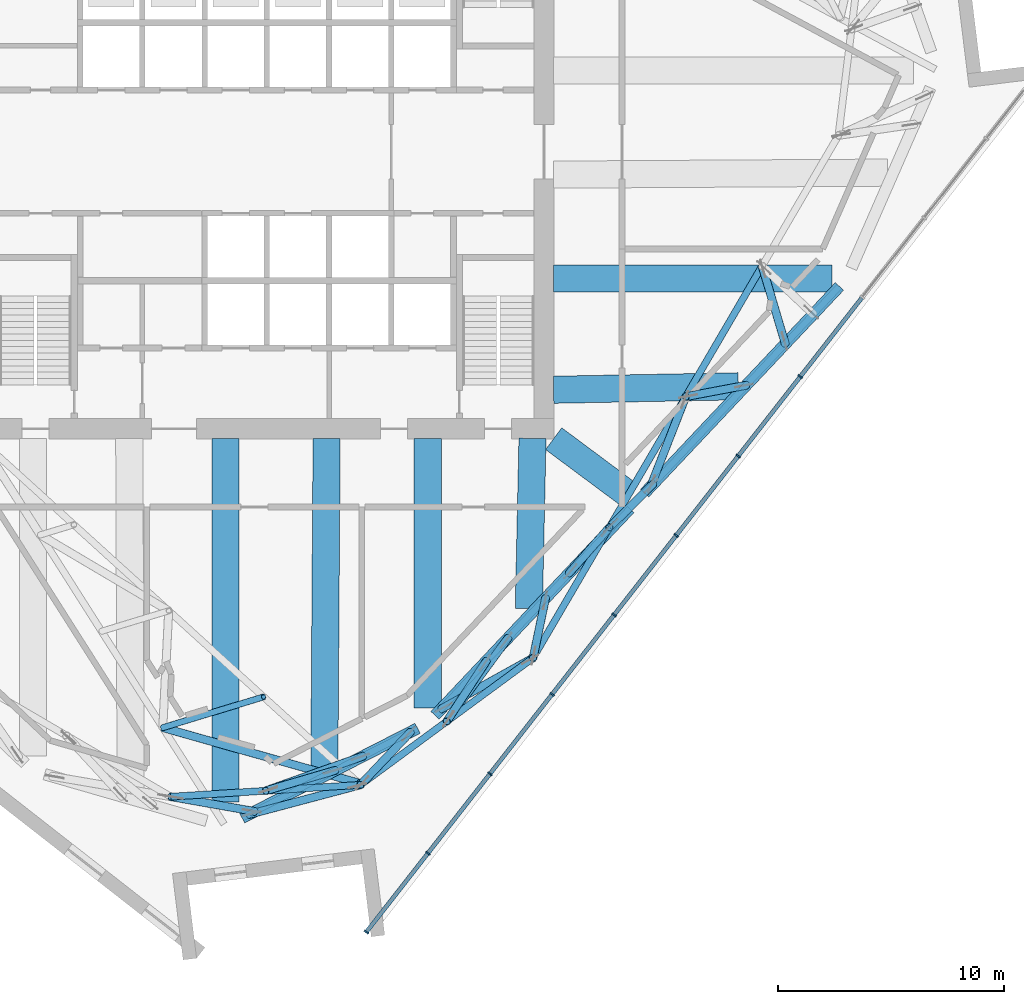
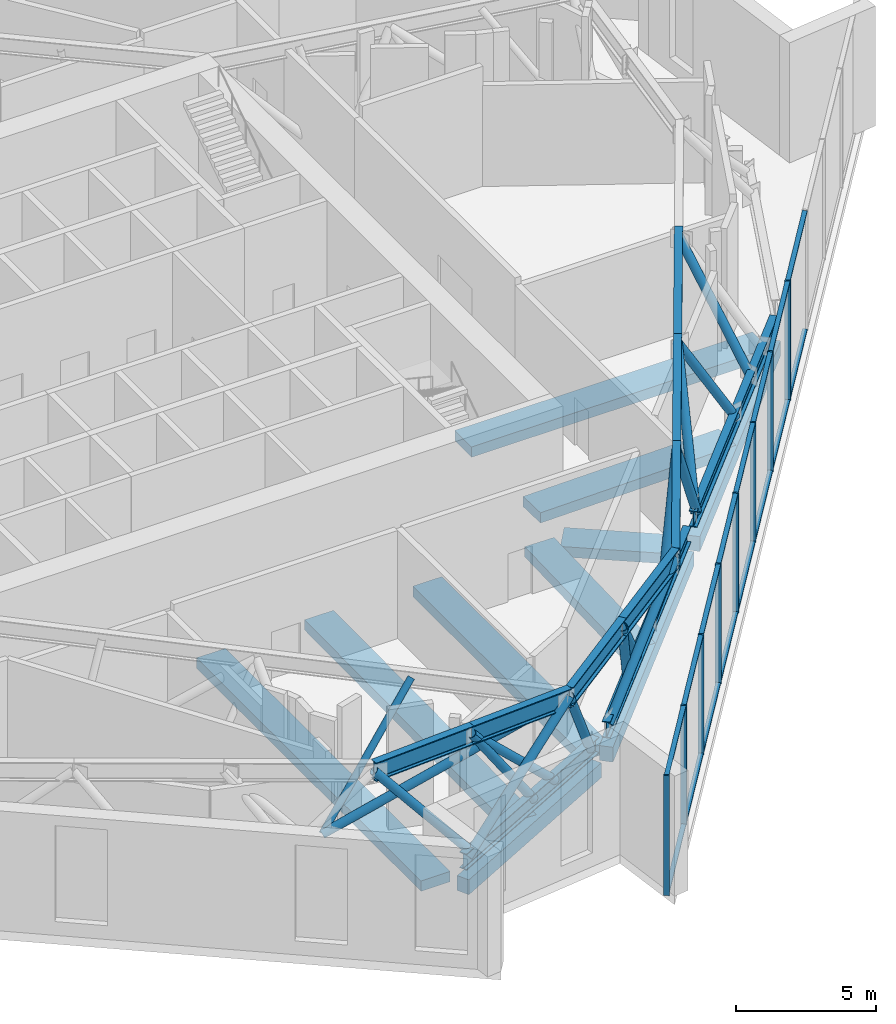
# One storey, part 3 of 23: 40 members, 20 beams, 1 element without a shape of its own.
"""IFC4 building model written with IfcOpenShell, lengths in metres."""

from ifc_helpers import new_model, si_unit, direction, frame, origin, origin_2d, place, context, subcontext, project, spatial, rectangle, hollow_circle, i_section, extrude, material, material_profile, profile_set, type_object, element, aggregate, save


model = new_model("IFC4")

# Units and contexts
model_context = context("Model", 3, precision=1e-05, world=origin(), true_north=direction((0.0, 1.0)))
body_context = subcontext(model_context, "Body", "Model", "MODEL_VIEW")
ifc_project = project(units=[si_unit("LENGTHUNIT", "METRE"), si_unit("AREAUNIT", "SQUARE_METRE"), si_unit("VOLUMEUNIT", "CUBIC_METRE"), si_unit("PLANEANGLEUNIT", "RADIAN"), si_unit("MASSUNIT", "GRAM", prefix="KILO")], contexts=[model_context])

# Site, building, storey
site_placement = place(None, origin())
site = spatial("IfcSite", under=ifc_project, at=site_placement, CompositionType="ELEMENT")
building_placement = place(site_placement, origin())
building = spatial("IfcBuilding", under=site, at=building_placement, Name="Dilmun Exchange Tower", CompositionType="ELEMENT")
storey_placement = place(building_placement, frame((0.0, 0.0, 237.300048828125)))
storey = spatial("IfcBuildingStorey", under=building, at=storey_placement, Name="L56", CompositionType="ELEMENT", Elevation=237.300048828125)

# Beams
ifc_material_1 = material(Name="Concrete C40/50", Category="concrete")
ifc_material_profile_1 = material_profile(ifc_material_1, rectangle(XDim=1.199951171875, YDim=0.449951171875, at=origin_2d()), Name="1200 x 450")
ifc_profile_set_1 = profile_set([ifc_material_profile_1], Name="Concrete C40/50")
beam_type_1 = type_object("IfcBeamType", Name="RC band beam 1200 x 450 C40/50", PredefinedType="BEAM", material=ifc_profile_set_1)
beam_1_placement = place(storey_placement, frame((-1.824951171875, -28.74560546875, -0.705078125), z_axis=(0.0, 1.0, 0.0), x_axis=(-1.0, 0.0, 0.0)))
element("IfcBeam", 1, at=beam_1_placement, inside=storey, type_object=beam_type_1, Name="Band beam 9", PredefinedType="BEAM", context=body_context, shape_type="SweptSolid", body=[
    extrude(rectangle(XDim=1.199951171875, YDim=0.449951171875, at=origin_2d()), origin(), (0.0, 0.0, 1.0), 16.072509765625),
])
beam_2_placement = place(storey_placement, frame((7.113037109375, -24.596923828125, -0.705078125), z_axis=(0.0, 1.0, 0.0), x_axis=(-1.0, 0.0, 0.0)))
element("IfcBeam", 2, at=beam_2_placement, inside=storey, type_object=beam_type_1, Name="Band beam 10", PredefinedType="BEAM", context=body_context, shape_type="SweptSolid", body=[
    extrude(rectangle(XDim=1.199951171875, YDim=0.449951171875, at=origin_2d()), origin(), (0.0, 0.0, 1.0), 11.923828125),
])
beam_3_placement = place(storey_placement, frame((15.99072265625, -15.148681640625, -0.705078125), z_axis=(-0.802264832552, 0.596968289317, 0.0), x_axis=(-0.596968289317, -0.802264832552, 0.0)))
element("IfcBeam", 3, at=beam_3_placement, inside=storey, type_object=beam_type_1, Name="Band beam 11", PredefinedType="BEAM", context=body_context, shape_type="SweptSolid", body=[
    extrude(rectangle(XDim=1.199951171875, YDim=0.449951171875, at=origin_2d()), origin(), (0.0, 0.0, 1.0), 4.12890625),
])
beam_4_placement = place(storey_placement, frame((24.972900390625, -5.60888671875, -0.705078125), z_axis=(-1.0, 0.0, 0.0), x_axis=(0.0, -1.0, 0.0)))
element("IfcBeam", 4, at=beam_4_placement, inside=storey, type_object=beam_type_1, Name="Band beam 12", PredefinedType="BEAM", context=body_context, shape_type="SweptSolid", body=[
    extrude(rectangle(XDim=1.199951171875, YDim=0.449951171875, at=origin_2d()), origin(), (0.0, 0.0, 1.0), 12.2998046875),
])
beam_5_placement = place(storey_placement, frame((2.54248046875, -27.3388671875, -0.60498046875), z_axis=(0.006924972536, 0.99997602209, 0.0), x_axis=(-0.99997602209, 0.006924972536, 0.0)))
element("IfcBeam", 5, at=beam_5_placement, inside=storey, type_object=beam_type_1, Name="Band beam 25", PredefinedType="BEAM", context=body_context, shape_type="SweptSolid", body=[
    extrude(rectangle(XDim=1.199951171875, YDim=0.449951171875, at=origin_2d()), origin(), (0.0, 0.0, 1.0), 14.666015625),
])
beam_6_placement = place(storey_placement, frame((11.580810546875, -20.19189453125, -0.60498046875), z_axis=(0.021555532074, 0.999767652526, 0.0), x_axis=(-0.999767652526, 0.021555532074, 0.0)))
element("IfcBeam", 6, at=beam_6_placement, inside=storey, type_object=beam_type_1, Name="Band beam 26", PredefinedType="BEAM", context=body_context, shape_type="SweptSolid", body=[
    extrude(rectangle(XDim=1.199951171875, YDim=0.449951171875, at=origin_2d()), origin(), (0.0, 0.0, 1.0), 7.5205078125),
])
beam_7_placement = place(storey_placement, frame((20.8408203125, -10.367919921875, -0.60498046875), z_axis=(-0.999824422594, -0.018738302585, 0.0), x_axis=(0.018738302585, -0.999824422594, 0.0)))
element("IfcBeam", 7, at=beam_7_placement, inside=storey, type_object=beam_type_1, Name="Band beam 27", PredefinedType="BEAM", context=body_context, shape_type="SweptSolid", body=[
    extrude(rectangle(XDim=1.199951171875, YDim=0.449951171875, at=origin_2d()), origin(), (0.0, 0.0, 1.0), 8.169189453125),
])
ifc_material_profile_2 = material_profile(ifc_material_1, rectangle(XDim=0.5, YDim=0.64990234375, at=origin_2d()), Name="500 x 650")
ifc_profile_set_2 = profile_set([ifc_material_profile_2], Name="Concrete C40/50")
beam_type_2 = type_object("IfcBeamType", Name="RC ring beam 500 x 650 C40/50", PredefinedType="SPANDREL", material=ifc_profile_set_2)
beam_8_placement = place(storey_placement, frame((-1.09228515625, -29.444091796875, -0.705078125), z_axis=(0.89072990219, 0.454532992581, 0.0), x_axis=(-0.454532992581, 0.89072990219, 0.0)))
element("IfcBeam", 8, at=beam_8_placement, inside=storey, type_object=beam_type_2, Name="Ring beam 9", PredefinedType="SPANDREL", context=body_context, shape_type="SweptSolid", body=[
    extrude(rectangle(XDim=0.5, YDim=0.64990234375, at=origin_2d()), origin(), (0.0, 0.0, 1.0), 8.707763671875),
])
for number, where, z_axis, x_axis, name in (
    (9, (7.4375, -24.912841796875, -0.705078125), (0.685902559512, 0.727693396188, 0.0), (-0.727693396188, 0.685902559512, 0.0), "Ring beam 10"),
    (10, (16.697509765625, -15.0888671875, -0.705078125), (0.685902559512, 0.727693396188, 0.0), (-0.727693396188, 0.685902559512, 0.0), "Ring beam 11"),
):
    element("IfcBeam", number, at=place(storey_placement, frame(where, z_axis=z_axis, x_axis=x_axis)), inside=storey, type_object=beam_type_2, Name=name, PredefinedType="SPANDREL", context=body_context, shape_type="SweptSolid", body=[
        extrude(rectangle(XDim=0.5, YDim=0.64990234375, at=origin_2d()), origin(), (0.0, 0.0, 1.0), 12.554443359375),
    ])

# Curtain wall, members
ifc_material_2 = material(Name="Anodised aluminium and clear glass", Category="aluminium")
curtain_wall_type = type_object("IfcCurtainWallType", Name="Sky lobby glazing", PredefinedType="NOTDEFINED", material=ifc_material_2)
curtain_wall_placement = place(storey_placement, origin())
curtain_wall = element("IfcCurtainWall", 11, at=curtain_wall_placement, inside=storey, type_object=curtain_wall_type, Name="Sky lobby glazing run SL12", PredefinedType="NOTDEFINED")
ifc_material_3 = material(Name="Anodised aluminium", Category="aluminium")
ifc_material_profile_3 = material_profile(ifc_material_3, rectangle(XDim=0.219970703125, YDim=0.070068359375, at=origin_2d()), Name="AL 70x220")
ifc_profile_set_3 = profile_set([ifc_material_profile_3], Name="Anodised aluminium")
member_type_1 = type_object("IfcMemberType", Name="Sky lobby glazing mullion 70 x 220", PredefinedType="MULLION", material=ifc_profile_set_3)
member_1_placement = place(storey_placement, frame((4.40185546875, -34.485595703125, 0.0), z_axis=(0.0, 0.0, 1.0), x_axis=(-0.78801066701, 0.615661586164, 0.0)))
member_1 = element("IfcMember", 12, at=member_1_placement, type_object=member_type_1, Name="SL12 mullion 1", PredefinedType="MULLION", context=body_context, shape_type="SweptSolid", body=[
    extrude(rectangle(XDim=0.219970703125, YDim=0.070068359375, at=origin_2d()), origin(), (0.0, 0.0, 1.0), 5.239990234375),
])
member_2_placement = place(storey_placement, frame((7.122802734375, -31.0029296875, 0.0), z_axis=(0.0, 0.0, 1.0), x_axis=(-0.78801066701, 0.615661586164, 0.0)))
member_2 = element("IfcMember", 13, at=member_2_placement, type_object=member_type_1, Name="SL12 mullion 2", PredefinedType="MULLION", context=body_context, shape_type="SweptSolid", body=[
    extrude(rectangle(XDim=0.219970703125, YDim=0.070068359375, at=origin_2d()), origin(), (0.0, 0.0, 1.0), 5.239990234375),
])
member_3_placement = place(storey_placement, frame((9.865234375, -27.49267578125, 0.0), z_axis=(0.0, 0.0, 1.0), x_axis=(-0.78801066701, 0.615661586164, 0.0)))
member_3 = element("IfcMember", 14, at=member_3_placement, type_object=member_type_1, Name="SL12 mullion 3", PredefinedType="MULLION", context=body_context, shape_type="SweptSolid", body=[
    extrude(rectangle(XDim=0.219970703125, YDim=0.070068359375, at=origin_2d()), origin(), (0.0, 0.0, 1.0), 5.239990234375),
])
member_4_placement = place(storey_placement, frame((12.607666015625, -23.982421875, 0.0), z_axis=(0.0, 0.0, 1.0), x_axis=(-0.78801066701, 0.615661586164, 0.0)))
member_4 = element("IfcMember", 15, at=member_4_placement, type_object=member_type_1, Name="SL12 mullion 4", PredefinedType="MULLION", context=body_context, shape_type="SweptSolid", body=[
    extrude(rectangle(XDim=0.219970703125, YDim=0.070068359375, at=origin_2d()), origin(), (0.0, 0.0, 1.0), 5.239990234375),
])
member_5_placement = place(storey_placement, frame((15.35009765625, -20.47216796875, 0.0), z_axis=(0.0, 0.0, 1.0), x_axis=(-0.78801066701, 0.615661586164, 0.0)))
member_5 = element("IfcMember", 16, at=member_5_placement, type_object=member_type_1, Name="SL12 mullion 5", PredefinedType="MULLION", context=body_context, shape_type="SweptSolid", body=[
    extrude(rectangle(XDim=0.219970703125, YDim=0.070068359375, at=origin_2d()), origin(), (0.0, 0.0, 1.0), 5.239990234375),
])
member_6_placement = place(storey_placement, frame((18.0927734375, -16.9619140625, 0.0), z_axis=(0.0, 0.0, 1.0), x_axis=(-0.78801066701, 0.615661586164, 0.0)))
member_6 = element("IfcMember", 17, at=member_6_placement, type_object=member_type_1, Name="SL12 mullion 6", PredefinedType="MULLION", context=body_context, shape_type="SweptSolid", body=[
    extrude(rectangle(XDim=0.219970703125, YDim=0.070068359375, at=origin_2d()), origin(), (0.0, 0.0, 1.0), 5.239990234375),
])
member_7_placement = place(storey_placement, frame((20.835205078125, -13.45166015625, 0.0), z_axis=(0.0, 0.0, 1.0), x_axis=(-0.78801066701, 0.615661586164, 0.0)))
member_7 = element("IfcMember", 18, at=member_7_placement, type_object=member_type_1, Name="SL12 mullion 7", PredefinedType="MULLION", context=body_context, shape_type="SweptSolid", body=[
    extrude(rectangle(XDim=0.219970703125, YDim=0.070068359375, at=origin_2d()), origin(), (0.0, 0.0, 1.0), 5.239990234375),
])
member_8_placement = place(storey_placement, frame((23.57763671875, -9.94140625, 0.0), z_axis=(0.0, 0.0, 1.0), x_axis=(-0.78801066701, 0.615661586164, 0.0)))
member_8 = element("IfcMember", 19, at=member_8_placement, type_object=member_type_1, Name="SL12 mullion 8", PredefinedType="MULLION", context=body_context, shape_type="SweptSolid", body=[
    extrude(rectangle(XDim=0.219970703125, YDim=0.070068359375, at=origin_2d()), origin(), (0.0, 0.0, 1.0), 5.239990234375),
])
ifc_material_profile_4 = material_profile(ifc_material_3, rectangle(XDim=0.179931640625, YDim=0.070068359375, at=origin_2d()), Name="AL 70x180")
ifc_profile_set_4 = profile_set([ifc_material_profile_4], Name="Anodised aluminium")
member_type_2 = type_object("IfcMemberType", Name="Sky lobby glazing transom 70 x 180", PredefinedType="USERDEFINED", material=ifc_profile_set_4)
member_9_placement = place(storey_placement, frame((4.42333984375, -34.4580078125, 0.034912109375), z_axis=(0.615645131234, 0.788023522738, 0.0), x_axis=(-0.788023522738, 0.615645131234, 0.0)))
member_9 = element("IfcMember", 20, at=member_9_placement, type_object=member_type_2, Name="SL12 transom 1.1", ObjectType="TRANSOM", PredefinedType="USERDEFINED", context=body_context, shape_type="SweptSolid", body=[
    extrude(rectangle(XDim=0.179931640625, YDim=0.070068359375, at=origin_2d()), origin(), (0.0, 0.0, 1.0), 4.349365234375),
])
member_10_placement = place(storey_placement, frame((4.42333984375, -34.4580078125, 5.204833984375), z_axis=(0.615645131234, 0.788023522738, 0.0), x_axis=(-0.788023522738, 0.615645131234, 0.0)))
member_10 = element("IfcMember", 21, at=member_10_placement, type_object=member_type_2, Name="SL12 transom 1.2", ObjectType="TRANSOM", PredefinedType="USERDEFINED", context=body_context, shape_type="SweptSolid", body=[
    extrude(rectangle(XDim=0.179931640625, YDim=0.070068359375, at=origin_2d()), origin(), (0.0, 0.0, 1.0), 4.349365234375),
])
member_11_placement = place(storey_placement, frame((7.144287109375, -30.975341796875, 0.034912109375), z_axis=(0.615669974548, 0.788004113213, 0.0), x_axis=(-0.788004113213, 0.615669974548, 0.0)))
member_11 = element("IfcMember", 22, at=member_11_placement, type_object=member_type_2, Name="SL12 transom 2.1", ObjectType="TRANSOM", PredefinedType="USERDEFINED", context=body_context, shape_type="SweptSolid", body=[
    extrude(rectangle(XDim=0.179931640625, YDim=0.070068359375, at=origin_2d()), origin(), (0.0, 0.0, 1.0), 4.384521484375),
])
member_12_placement = place(storey_placement, frame((7.144287109375, -30.975341796875, 5.204833984375), z_axis=(0.615669974548, 0.788004113213, 0.0), x_axis=(-0.788004113213, 0.615669974548, 0.0)))
member_12 = element("IfcMember", 23, at=member_12_placement, type_object=member_type_2, Name="SL12 transom 2.2", ObjectType="TRANSOM", PredefinedType="USERDEFINED", context=body_context, shape_type="SweptSolid", body=[
    extrude(rectangle(XDim=0.179931640625, YDim=0.070068359375, at=origin_2d()), origin(), (0.0, 0.0, 1.0), 4.384521484375),
])
member_13_placement = place(storey_placement, frame((9.88671875, -27.465087890625, 0.034912109375), z_axis=(0.615669974548, 0.788004113213, 0.0), x_axis=(-0.788004113213, 0.615669974548, 0.0)))
member_13 = element("IfcMember", 24, at=member_13_placement, type_object=member_type_2, Name="SL12 transom 3.1", ObjectType="TRANSOM", PredefinedType="USERDEFINED", context=body_context, shape_type="SweptSolid", body=[
    extrude(rectangle(XDim=0.179931640625, YDim=0.070068359375, at=origin_2d()), origin(), (0.0, 0.0, 1.0), 4.384521484375),
])
member_14_placement = place(storey_placement, frame((9.88671875, -27.465087890625, 5.204833984375), z_axis=(0.615669974548, 0.788004113213, 0.0), x_axis=(-0.788004113213, 0.615669974548, 0.0)))
member_14 = element("IfcMember", 25, at=member_14_placement, type_object=member_type_2, Name="SL12 transom 3.2", ObjectType="TRANSOM", PredefinedType="USERDEFINED", context=body_context, shape_type="SweptSolid", body=[
    extrude(rectangle(XDim=0.179931640625, YDim=0.070068359375, at=origin_2d()), origin(), (0.0, 0.0, 1.0), 4.384521484375),
])
member_15_placement = place(storey_placement, frame((12.629150390625, -23.954833984375, 0.034912109375), z_axis=(0.615669974548, 0.788004113213, 0.0), x_axis=(-0.788004113213, 0.615669974548, 0.0)))
member_15 = element("IfcMember", 26, at=member_15_placement, type_object=member_type_2, Name="SL12 transom 4.1", ObjectType="TRANSOM", PredefinedType="USERDEFINED", context=body_context, shape_type="SweptSolid", body=[
    extrude(rectangle(XDim=0.179931640625, YDim=0.070068359375, at=origin_2d()), origin(), (0.0, 0.0, 1.0), 4.384521484375),
])
member_16_placement = place(storey_placement, frame((12.629150390625, -23.954833984375, 5.204833984375), z_axis=(0.615669974548, 0.788004113213, 0.0), x_axis=(-0.788004113213, 0.615669974548, 0.0)))
member_16 = element("IfcMember", 27, at=member_16_placement, type_object=member_type_2, Name="SL12 transom 4.2", ObjectType="TRANSOM", PredefinedType="USERDEFINED", context=body_context, shape_type="SweptSolid", body=[
    extrude(rectangle(XDim=0.179931640625, YDim=0.070068359375, at=origin_2d()), origin(), (0.0, 0.0, 1.0), 4.384521484375),
])
member_17_placement = place(storey_placement, frame((15.371826171875, -20.444580078125, 0.034912109375), z_axis=(0.615635397336, 0.78803112727, 0.0), x_axis=(-0.78803112727, 0.615635397336, 0.0)))
member_17 = element("IfcMember", 28, at=member_17_placement, type_object=member_type_2, Name="SL12 transom 5.1", ObjectType="TRANSOM", PredefinedType="USERDEFINED", context=body_context, shape_type="SweptSolid", body=[
    extrude(rectangle(XDim=0.179931640625, YDim=0.070068359375, at=origin_2d()), origin(), (0.0, 0.0, 1.0), 4.384521484375),
])
member_18_placement = place(storey_placement, frame((15.371826171875, -20.444580078125, 5.204833984375), z_axis=(0.615635397336, 0.78803112727, 0.0), x_axis=(-0.78803112727, 0.615635397336, 0.0)))
member_18 = element("IfcMember", 29, at=member_18_placement, type_object=member_type_2, Name="SL12 transom 5.2", ObjectType="TRANSOM", PredefinedType="USERDEFINED", context=body_context, shape_type="SweptSolid", body=[
    extrude(rectangle(XDim=0.179931640625, YDim=0.070068359375, at=origin_2d()), origin(), (0.0, 0.0, 1.0), 4.384521484375),
])
member_19_placement = place(storey_placement, frame((18.1142578125, -16.934326171875, 0.034912109375), z_axis=(0.615635397336, 0.78803112727, 0.0), x_axis=(-0.78803112727, 0.615635397336, 0.0)))
member_19 = element("IfcMember", 30, at=member_19_placement, type_object=member_type_2, Name="SL12 transom 6.1", ObjectType="TRANSOM", PredefinedType="USERDEFINED", context=body_context, shape_type="SweptSolid", body=[
    extrude(rectangle(XDim=0.179931640625, YDim=0.070068359375, at=origin_2d()), origin(), (0.0, 0.0, 1.0), 4.384521484375),
])
member_20_placement = place(storey_placement, frame((18.1142578125, -16.934326171875, 5.204833984375), z_axis=(0.615635397336, 0.78803112727, 0.0), x_axis=(-0.78803112727, 0.615635397336, 0.0)))
member_20 = element("IfcMember", 31, at=member_20_placement, type_object=member_type_2, Name="SL12 transom 6.2", ObjectType="TRANSOM", PredefinedType="USERDEFINED", context=body_context, shape_type="SweptSolid", body=[
    extrude(rectangle(XDim=0.179931640625, YDim=0.070068359375, at=origin_2d()), origin(), (0.0, 0.0, 1.0), 4.384521484375),
])
member_21_placement = place(storey_placement, frame((20.856689453125, -13.424072265625, 0.034912109375), z_axis=(0.615669974548, 0.788004113213, 0.0), x_axis=(-0.788004113213, 0.615669974548, 0.0)))
member_21 = element("IfcMember", 32, at=member_21_placement, type_object=member_type_2, Name="SL12 transom 7.1", ObjectType="TRANSOM", PredefinedType="USERDEFINED", context=body_context, shape_type="SweptSolid", body=[
    extrude(rectangle(XDim=0.179931640625, YDim=0.070068359375, at=origin_2d()), origin(), (0.0, 0.0, 1.0), 4.384521484375),
])
member_22_placement = place(storey_placement, frame((20.856689453125, -13.424072265625, 5.204833984375), z_axis=(0.615669974548, 0.788004113213, 0.0), x_axis=(-0.788004113213, 0.615669974548, 0.0)))
member_22 = element("IfcMember", 33, at=member_22_placement, type_object=member_type_2, Name="SL12 transom 7.2", ObjectType="TRANSOM", PredefinedType="USERDEFINED", context=body_context, shape_type="SweptSolid", body=[
    extrude(rectangle(XDim=0.179931640625, YDim=0.070068359375, at=origin_2d()), origin(), (0.0, 0.0, 1.0), 4.384521484375),
])
member_23_placement = place(storey_placement, frame((23.59912109375, -9.913818359375, 0.034912109375), z_axis=(0.615669974548, 0.788004113213, 0.0), x_axis=(-0.788004113213, 0.615669974548, 0.0)))
member_23 = element("IfcMember", 34, at=member_23_placement, type_object=member_type_2, Name="SL12 transom 8.1", ObjectType="TRANSOM", PredefinedType="USERDEFINED", context=body_context, shape_type="SweptSolid", body=[
    extrude(rectangle(XDim=0.179931640625, YDim=0.070068359375, at=origin_2d()), origin(), (0.0, 0.0, 1.0), 4.384521484375),
])
member_24_placement = place(storey_placement, frame((23.59912109375, -9.913818359375, 5.204833984375), z_axis=(0.615669974548, 0.788004113213, 0.0), x_axis=(-0.788004113213, 0.615669974548, 0.0)))
member_24 = element("IfcMember", 35, at=member_24_placement, type_object=member_type_2, Name="SL12 transom 8.2", ObjectType="TRANSOM", PredefinedType="USERDEFINED", context=body_context, shape_type="SweptSolid", body=[
    extrude(rectangle(XDim=0.179931640625, YDim=0.070068359375, at=origin_2d()), origin(), (0.0, 0.0, 1.0), 4.384521484375),
])
aggregate(curtain_wall, [member_1, member_2, member_3, member_4, member_5, member_6, member_7, member_8, member_9, member_10, member_11, member_12, member_13, member_14, member_15, member_16, member_17, member_18, member_19, member_20, member_21, member_22, member_23, member_24])

# Beams
ifc_material_4 = material(Name="Steel S355", Category="steel")
ifc_material_profile_5 = material_profile(ifc_material_4, i_section(OverallWidth=0.300048828125, OverallDepth=0.699951171875, WebThickness=0.01708984375, FlangeThickness=0.031982421875, FilletRadius=0.027099609375, at=origin_2d()), Name="HEB 700")
ifc_profile_set_5 = profile_set([ifc_material_profile_5], Name="Steel S355")
beam_type_3 = type_object("IfcBeamType", Name="belt bottom chord HEB 700", PredefinedType="BEAM", material=ifc_profile_set_5)
beam_9_placement = place(storey_placement, frame((-1.09228515625, -29.444091796875, 0.349853515625), z_axis=(0.89072990219, 0.454532992581, 0.0), x_axis=(-0.454532992581, 0.89072990219, 0.0)))
element("IfcBeam", 36, at=beam_9_placement, inside=storey, type_object=beam_type_3, Name="Belt bottom chord 9", PredefinedType="BEAM", context=body_context, shape_type="SweptSolid", body=[
    extrude(i_section(OverallWidth=0.300048828125, OverallDepth=0.699951171875, WebThickness=0.01708984375, FlangeThickness=0.031982421875, FilletRadius=0.027099609375, at=origin_2d()), origin(), (0.0, 0.0, 1.0), 8.707763671875),
])
for number, where, z_axis, x_axis, name in (
    (37, (7.4375, -24.912841796875, 0.349853515625), (0.685902559512, 0.727693396188, 0.0), (-0.727693396188, 0.685902559512, 0.0), "Belt bottom chord 10"),
    (38, (16.697509765625, -15.0888671875, 0.349853515625), (0.685902559512, 0.727693396188, 0.0), (-0.727693396188, 0.685902559512, 0.0), "Belt bottom chord 11"),
):
    element("IfcBeam", number, at=place(storey_placement, frame(where, z_axis=z_axis, x_axis=x_axis)), inside=storey, type_object=beam_type_3, Name=name, PredefinedType="BEAM", context=body_context, shape_type="SweptSolid", body=[
        extrude(i_section(OverallWidth=0.300048828125, OverallDepth=0.699951171875, WebThickness=0.01708984375, FlangeThickness=0.031982421875, FilletRadius=0.027099609375, at=origin_2d()), origin(), (0.0, 0.0, 1.0), 12.554443359375),
    ])

# Member
ifc_material_profile_6 = material_profile(ifc_material_4, hollow_circle(Radius=0.136474609375, WallThickness=0.01611328125, at=origin_2d()), Name="CHS 273x16")
ifc_profile_set_6 = profile_set([ifc_material_profile_6], Name="Steel S355")
member_type_3 = type_object("IfcMemberType", Name="outrigger post CHS 273x16", PredefinedType="POST", material=ifc_profile_set_6)
member_25_placement = place(storey_placement, frame((-0.143310546875, -24.094970703125, 4.7900390625), z_axis=(-0.69215666426, -0.211354236058, -0.690107628578), x_axis=(0.292044030071, -0.956404874779, 0.0)))
element("IfcMember", 39, at=member_25_placement, inside=storey, type_object=member_type_3, Name="Outrigger post 3.3", PredefinedType="POST", context=body_context, shape_type="SweptSolid", body=[
    extrude(hollow_circle(Radius=0.136474609375, WallThickness=0.01611328125, at=origin_2d()), origin(), (0.0, 0.0, 1.0), 6.43408203125),
])

# Beams
ifc_material_profile_7 = material_profile(ifc_material_4, i_section(OverallWidth=0.302978515625, OverallDepth=0.81396484375, WebThickness=0.02099609375, FlangeThickness=0.0400390625, FilletRadius=0.030029296875, at=origin_2d()), Name="HEM 800")
ifc_profile_set_7 = profile_set([ifc_material_profile_7], Name="Steel S355")
beam_type_4 = type_object("IfcBeamType", Name="transfer chord HEM 800", PredefinedType="BEAM", material=ifc_profile_set_7)
beam_10_placement = place(storey_placement, frame((-4.239990234375, -28.506103515625, 4.8330078125), z_axis=(0.998055292627, 0.062334844657, 0.0), x_axis=(-0.062334844657, 0.998055292627, 0.0)))
element("IfcBeam", 40, at=beam_10_placement, inside=storey, type_object=beam_type_4, Name="Transfer chord 15", PredefinedType="BEAM", context=body_context, shape_type="SweptSolid", body=[
    extrude(i_section(OverallWidth=0.302978515625, OverallDepth=0.81396484375, WebThickness=0.02099609375, FlangeThickness=0.0400390625, FilletRadius=0.030029296875, at=origin_2d()), origin(), (0.0, 0.0, 1.0), 4.198486328125),
])
beam_11_placement = place(storey_placement, frame((-0.049560546875, -28.244384765625, 4.8330078125), z_axis=(0.998059134072, 0.062273308045, 0.0), x_axis=(-0.062273308045, 0.998059134072, 0.0)))
element("IfcBeam", 41, at=beam_11_placement, inside=storey, type_object=beam_type_4, Name="Transfer chord 16", PredefinedType="BEAM", context=body_context, shape_type="SweptSolid", body=[
    extrude(i_section(OverallWidth=0.302978515625, OverallDepth=0.81396484375, WebThickness=0.02099609375, FlangeThickness=0.0400390625, FilletRadius=0.030029296875, at=origin_2d()), origin(), (0.0, 0.0, 1.0), 4.19873046875),
])
for number, where, z_axis, x_axis, name in (
    (42, (4.14111328125, -27.98291015625, 4.8330078125), (0.805546770186, 0.592532194098, 0.0), (-0.592532194098, 0.805546770186, 0.0), "Transfer chord 17"),
    (43, (7.955078125, -25.177490234375, 4.8330078125), (0.805546770186, 0.592532194098, 0.0), (-0.592532194098, 0.805546770186, 0.0), "Transfer chord 18"),
):
    element("IfcBeam", number, at=place(storey_placement, frame(where, z_axis=z_axis, x_axis=x_axis)), inside=storey, type_object=beam_type_4, Name=name, PredefinedType="BEAM", context=body_context, shape_type="SweptSolid", body=[
        extrude(i_section(OverallWidth=0.302978515625, OverallDepth=0.81396484375, WebThickness=0.02099609375, FlangeThickness=0.0400390625, FilletRadius=0.030029296875, at=origin_2d()), origin(), (0.0, 0.0, 1.0), 4.734619140625),
    ])
beam_12_placement = place(storey_placement, frame((11.76904296875, -22.3720703125, 4.8330078125), z_axis=(0.50459947261, 0.86335356155, 0.0), x_axis=(-0.86335356155, 0.50459947261, 0.0)))
element("IfcBeam", 44, at=beam_12_placement, inside=storey, type_object=beam_type_4, Name="Transfer chord 19", PredefinedType="BEAM", context=body_context, shape_type="SweptSolid", body=[
    extrude(i_section(OverallWidth=0.302978515625, OverallDepth=0.81396484375, WebThickness=0.02099609375, FlangeThickness=0.0400390625, FilletRadius=0.030029296875, at=origin_2d()), origin(), (0.0, 0.0, 1.0), 6.6875),
])
beam_13_placement = place(storey_placement, frame((15.1435546875, -16.598388671875, 4.8330078125), z_axis=(0.504615377209, 0.863344265681, 0.0), x_axis=(-0.863344265681, 0.504615377209, 0.0)))
element("IfcBeam", 45, at=beam_13_placement, inside=storey, type_object=beam_type_4, Name="Transfer chord 20", PredefinedType="BEAM", context=body_context, shape_type="SweptSolid", body=[
    extrude(i_section(OverallWidth=0.302978515625, OverallDepth=0.81396484375, WebThickness=0.02099609375, FlangeThickness=0.0400390625, FilletRadius=0.030029296875, at=origin_2d()), origin(), (0.0, 0.0, 1.0), 6.687255859375),
])
beam_14_placement = place(storey_placement, frame((18.51806640625, -10.824951171875, 4.8330078125), z_axis=(0.504669797844, 0.863312455108, 0.0), x_axis=(-0.863312455108, 0.504669797844, 0.0)))
element("IfcBeam", 46, at=beam_14_placement, inside=storey, type_object=beam_type_4, Name="Transfer chord 21", PredefinedType="BEAM", context=body_context, shape_type="SweptSolid", body=[
    extrude(i_section(OverallWidth=0.302978515625, OverallDepth=0.81396484375, WebThickness=0.02099609375, FlangeThickness=0.0400390625, FilletRadius=0.030029296875, at=origin_2d()), origin(), (0.0, 0.0, 1.0), 6.6875),
])

# Members
ifc_material_profile_8 = material_profile(ifc_material_4, hollow_circle(Radius=0.177734375, WallThickness=0.02001953125, at=origin_2d()), Name="CHS 355.6x20")
ifc_profile_set_8 = profile_set([ifc_material_profile_8], Name="Steel S355")
member_type_4 = type_object("IfcMemberType", Name="truss diagonal CHS 355.6x20", PredefinedType="BRACE", material=ifc_profile_set_8)
member_26_placement = place(storey_placement, frame((-4.239990234375, -28.506103515625, 4.8330078125), z_axis=(0.633219527908, -0.11152871938, -0.765894492884), x_axis=(0.173459673381, 0.984840972802, 0.0)))
element("IfcMember", 47, at=member_26_placement, inside=storey, type_object=member_type_4, Name="Truss diagonal 29", PredefinedType="BRACE", context=body_context, shape_type="SweptSolid", body=[
    extrude(hollow_circle(Radius=0.177734375, WallThickness=0.02001953125, at=origin_2d()), origin(), (0.0, 0.0, 1.0), 5.853515625),
])
member_27_placement = place(storey_placement, frame((-0.049560546875, -28.244384765625, 4.8330078125), z_axis=(0.558149299257, 0.163679496885, -0.813436157322), x_axis=(-0.281403443089, 0.959589548827, 0.0)))
element("IfcMember", 48, at=member_27_placement, inside=storey, type_object=member_type_4, Name="Truss diagonal 31", PredefinedType="BRACE", context=body_context, shape_type="SweptSolid", body=[
    extrude(hollow_circle(Radius=0.177734375, WallThickness=0.02001953125, at=origin_2d()), origin(), (0.0, 0.0, 1.0), 5.511474609375),
])
member_28_placement = place(storey_placement, frame((-0.049560546875, -28.244384765625, 4.8330078125), z_axis=(0.673893660847, 0.239828204803, -0.698820267344), x_axis=(-0.335284647748, 0.942116874376, 0.0)))
element("IfcMember", 49, at=member_28_placement, inside=storey, type_object=member_type_4, Name="Truss diagonal 32", PredefinedType="BRACE", context=body_context, shape_type="SweptSolid", body=[
    extrude(hollow_circle(Radius=0.177734375, WallThickness=0.02001953125, at=origin_2d()), origin(), (0.0, 0.0, 1.0), 6.415283203125),
])
member_29_placement = place(storey_placement, frame((4.14111328125, -27.98291015625, 4.8330078125), z_axis=(0.401190230106, 0.423788136586, -0.812065277275), x_axis=(-0.726203540616, 0.687479757954, 0.0)))
element("IfcMember", 50, at=member_29_placement, inside=storey, type_object=member_type_4, Name="Truss diagonal 33", PredefinedType="BRACE", context=body_context, shape_type="SweptSolid", body=[
    extrude(hollow_circle(Radius=0.177734375, WallThickness=0.02001953125, at=origin_2d()), origin(), (0.0, 0.0, 1.0), 5.520751953125),
])
member_30_placement = place(storey_placement, frame((4.14111328125, -27.98291015625, 4.8330078125), z_axis=(-0.726720512114, -0.193007087893, -0.659261375553), x_axis=(0.25668776781, -0.966494381699, 0.0)))
element("IfcMember", 51, at=member_30_placement, inside=storey, type_object=member_type_4, Name="Truss diagonal 34", PredefinedType="BRACE", context=body_context, shape_type="SweptSolid", body=[
    extrude(hollow_circle(Radius=0.177734375, WallThickness=0.02001953125, at=origin_2d()), origin(), (0.0, 0.0, 1.0), 6.80029296875),
])
member_31_placement = place(storey_placement, frame((7.955078125, -25.177490234375, 4.8330078125), z_axis=(0.318546953771, 0.485710961935, -0.814010257736), x_axis=(-0.836206500864, 0.548414704318, 0.0)))
element("IfcMember", 52, at=member_31_placement, inside=storey, type_object=member_type_4, Name="Truss diagonal 35", PredefinedType="BRACE", context=body_context, shape_type="SweptSolid", body=[
    extrude(hollow_circle(Radius=0.177734375, WallThickness=0.02001953125, at=origin_2d()), origin(), (0.0, 0.0, 1.0), 5.507568359375),
])
member_32_placement = place(storey_placement, frame((7.955078125, -25.177490234375, 4.8330078125), z_axis=(0.423370159222, 0.576094118988, -0.699194732781), x_axis=(-0.805803495302, 0.592183018127, 0.0)))
element("IfcMember", 53, at=member_32_placement, inside=storey, type_object=member_type_4, Name="Truss diagonal 36", PredefinedType="BRACE", context=body_context, shape_type="SweptSolid", body=[
    extrude(hollow_circle(Radius=0.177734375, WallThickness=0.02001953125, at=origin_2d()), origin(), (0.0, 0.0, 1.0), 6.411865234375),
])
member_33_placement = place(storey_placement, frame((11.76904296875, -22.3720703125, 4.8330078125), z_axis=(-0.62979548374, -0.350440057277, -0.693216715693), x_axis=(0.486229856474, -0.873830948567, 0.0)))
element("IfcMember", 54, at=member_33_placement, inside=storey, type_object=member_type_4, Name="Truss diagonal 37", PredefinedType="BRACE", context=body_context, shape_type="SweptSolid", body=[
    extrude(hollow_circle(Radius=0.177734375, WallThickness=0.02001953125, at=origin_2d()), origin(), (0.0, 0.0, 1.0), 6.46728515625),
])
member_34_placement = place(storey_placement, frame((11.76904296875, -22.3720703125, 4.8330078125), z_axis=(0.105502714117, 0.504649205296, -0.856853754679), x_axis=(-0.978837869399, 0.204637302146, 0.0)))
element("IfcMember", 55, at=member_34_placement, inside=storey, type_object=member_type_4, Name="Truss diagonal 38", PredefinedType="BRACE", context=body_context, shape_type="SweptSolid", body=[
    extrude(hollow_circle(Radius=0.177734375, WallThickness=0.02001953125, at=origin_2d()), origin(), (0.0, 0.0, 1.0), 5.232177734375),
])
member_35_placement = place(storey_placement, frame((15.1435546875, -16.598388671875, 4.8330078125), z_axis=(0.367040155405, 0.362842212339, -0.856520316902), x_axis=(-0.703028204635, 0.711161967126, 0.0)))
element("IfcMember", 56, at=member_35_placement, inside=storey, type_object=member_type_4, Name="Truss diagonal 39", PredefinedType="BRACE", context=body_context, shape_type="SweptSolid", body=[
    extrude(hollow_circle(Radius=0.177734375, WallThickness=0.02001953125, at=origin_2d()), origin(), (0.0, 0.0, 1.0), 5.234130859375),
])
member_36_placement = place(storey_placement, frame((15.1435546875, -16.598388671875, 4.8330078125), z_axis=(-0.340577902919, -0.387872615814, -0.856482063995), x_axis=(0.75143366883, -0.659808639947, 0.0)))
element("IfcMember", 57, at=member_36_placement, inside=storey, type_object=member_type_4, Name="Truss diagonal 40", PredefinedType="BRACE", context=body_context, shape_type="SweptSolid", body=[
    extrude(hollow_circle(Radius=0.177734375, WallThickness=0.02001953125, at=origin_2d()), origin(), (0.0, 0.0, 1.0), 5.234375),
])
member_37_placement = place(storey_placement, frame((18.51806640625, -10.824951171875, 4.8330078125), z_axis=(-0.251889284723, -0.643345233145, -0.722951380959), x_axis=(0.931171298583, -0.36458196979, 0.0)))
element("IfcMember", 58, at=member_37_placement, inside=storey, type_object=member_type_4, Name="Truss diagonal 41", PredefinedType="BRACE", context=body_context, shape_type="SweptSolid", body=[
    extrude(hollow_circle(Radius=0.177734375, WallThickness=0.02001953125, at=origin_2d()), origin(), (0.0, 0.0, 1.0), 6.201171875),
])
member_38_placement = place(storey_placement, frame((18.51806640625, -10.824951171875, 4.8330078125), z_axis=(0.509759846471, 0.096048457692, -0.854938356082), x_axis=(-0.185160931663, 0.982708211722, 0.0)))
element("IfcMember", 59, at=member_38_placement, inside=storey, type_object=member_type_4, Name="Truss diagonal 42", PredefinedType="BRACE", context=body_context, shape_type="SweptSolid", body=[
    extrude(hollow_circle(Radius=0.177734375, WallThickness=0.02001953125, at=origin_2d()), origin(), (0.0, 0.0, 1.0), 5.243896484375),
])
member_39_placement = place(storey_placement, frame((21.89306640625, -5.051513671875, 4.8330078125), z_axis=(0.178314005555, -0.598886762576, -0.780729633762), x_axis=(0.958419739496, 0.285362231112, 0.0)))
element("IfcMember", 60, at=member_39_placement, inside=storey, type_object=member_type_4, Name="Truss diagonal 44", PredefinedType="BRACE", context=body_context, shape_type="SweptSolid", body=[
    extrude(hollow_circle(Radius=0.177734375, WallThickness=0.02001953125, at=origin_2d()), origin(), (0.0, 0.0, 1.0), 5.7421875),
])
member_40_placement = place(storey_placement, frame((4.048828125, -27.8994140625, 4.7900390625), z_axis=(-0.862672094834, 0.243926795594, -0.443053693345), x_axis=(-0.272089386311, -0.962271981228, 0.0)))
element("IfcMember", 61, at=member_40_placement, inside=storey, type_object=member_type_4, Name="Outrigger diagonal 3.3", PredefinedType="BRACE", context=body_context, shape_type="SweptSolid", body=[
    extrude(hollow_circle(Radius=0.177734375, WallThickness=0.02001953125, at=origin_2d()), origin(), (0.0, 0.0, 1.0), 10.021728515625),
])

save(model, "model.ifc")
